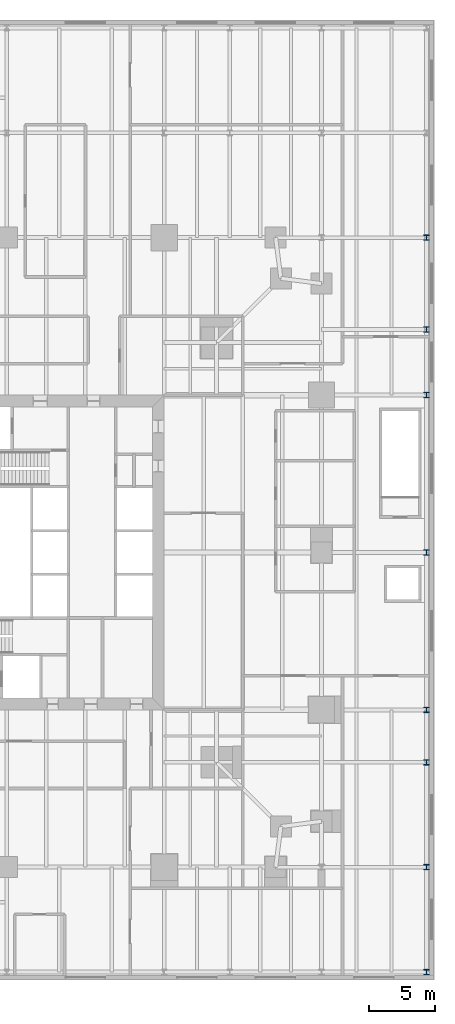
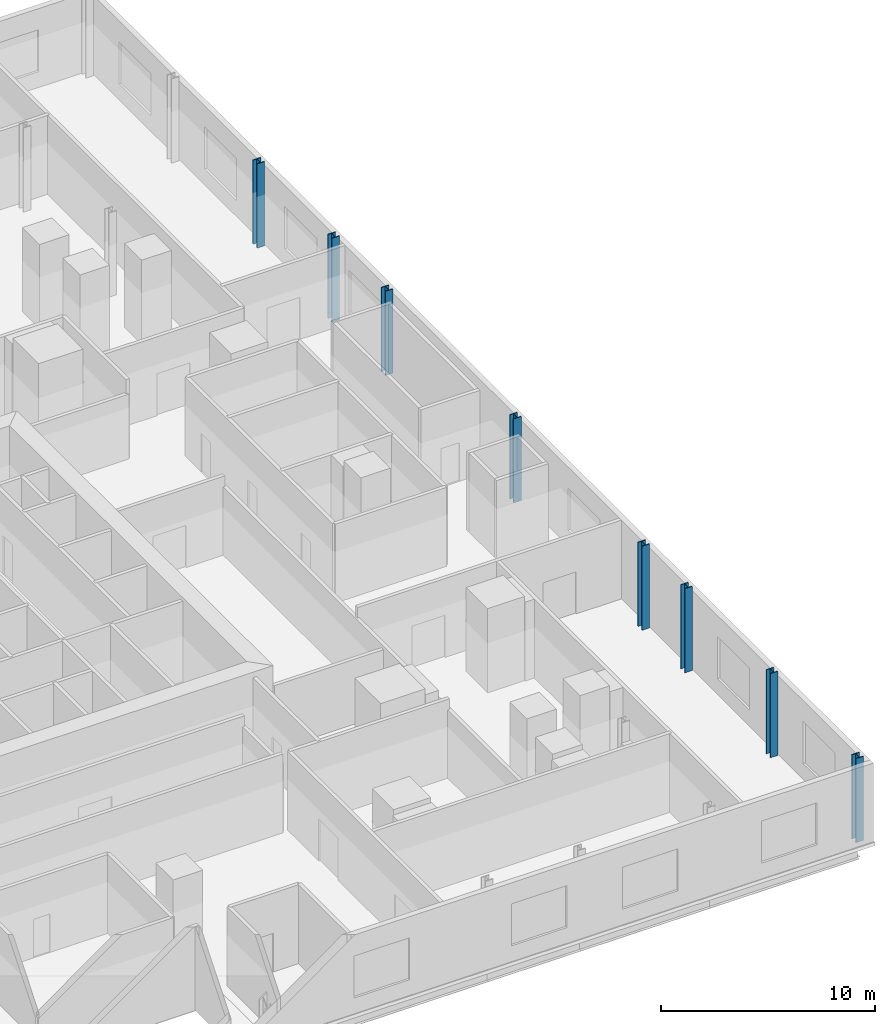
# One storey, part 3 of 15: 8 columns.
"""IFC4 building model written with IfcOpenShell, lengths in metres."""

from ifc_helpers import new_model, si_unit, direction, frame, origin, origin_2d, place, context, subcontext, project, spatial, i_section, extrude, material, material_profile, profile_set, type_object, element, save


model = new_model("IFC4")

# Units and contexts
model_context = context("Model", 3, precision=1e-05, world=origin(), true_north=direction((0.0, 1.0)))
body_context = subcontext(model_context, "Body", "Model", "MODEL_VIEW")
ifc_project = project(units=[si_unit("LENGTHUNIT", "METRE"), si_unit("AREAUNIT", "SQUARE_METRE"), si_unit("VOLUMEUNIT", "CUBIC_METRE"), si_unit("PLANEANGLEUNIT", "RADIAN"), si_unit("MASSUNIT", "GRAM", prefix="KILO")], contexts=[model_context])

# Site, building, storey
site_placement = place(None, origin())
site = spatial("IfcSite", under=ifc_project, at=site_placement, CompositionType="ELEMENT")
building_placement = place(site_placement, origin())
building = spatial("IfcBuilding", under=site, at=building_placement, Name="Fenwick Lantern Interchange", CompositionType="ELEMENT")
storey_placement = place(building_placement, frame((0.0, 0.0, 26.199951171875)))
storey = spatial("IfcBuildingStorey", under=building, at=storey_placement, Name="L05", CompositionType="ELEMENT", Elevation=26.199951171875)

# Columns
ifc_material = material(Name="Steel ASTM A992 Grade 50", Category="steel")
ifc_material_profile = material_profile(ifc_material, i_section(OverallWidth=0.406494140625, OverallDepth=0.41650390625, WebThickness=0.030029296875, FlangeThickness=0.048095703125, at=origin_2d()), Name="W14X257")
ifc_profile_set = profile_set([ifc_material_profile], Name="Steel ASTM A992 Grade 50")
column_type = type_object("IfcColumnType", Name="PODIUM COLUMN W14X257", PredefinedType="COLUMN", material=ifc_profile_set)
for number, where, z_axis, x_axis, name in (
    (1, (57.0, -7.0, 0.0), (0.0, 0.0, 1.0), (1.0, 0.0, 0.0), "L05/PB10"),
    (2, (57.0, 1.0, 0.0), (0.0, 0.0, 1.0), (1.0, 0.0, 0.0), "L05/PC10"),
    (3, (57.0, 9.0, 0.0), (0.0, 0.0, 1.0), (1.0, 0.0, 0.0), "L05/PD10"),
    (4, (57.0, 13.0, 0.0), (0.0, 0.0, 1.0), (1.0, 0.0, 0.0), "L05/PE10"),
    (5, (57.0, 25.0, 0.0), (0.0, 0.0, 1.0), (1.0, 0.0, 0.0), "L05/PF10"),
    (6, (57.0, 37.0, 0.0), (0.0, 0.0, 1.0), (1.0, 0.0, 0.0), "L05/PG10"),
    (7, (57.0, 42.0, 0.0), (0.0, 0.0, 1.0), (1.0, 0.0, 0.0), "L05/PH10"),
    (8, (57.0, 49.0, 0.0), (0.0, 0.0, 1.0), (1.0, 0.0, 0.0), "L05/PJ10"),
):
    element("IfcColumn", number, at=place(storey_placement, frame(where, z_axis=z_axis, x_axis=x_axis)), inside=storey, type_object=column_type, Name=name, PredefinedType="COLUMN", context=body_context, shape_type="SweptSolid", body=[
        extrude(i_section(OverallWidth=0.406494140625, OverallDepth=0.41650390625, WebThickness=0.030029296875, FlangeThickness=0.048095703125, at=origin_2d()), origin(), (0.0, 0.0, 1.0), 4.800048828125),
    ])

save(model, "model.ifc")
